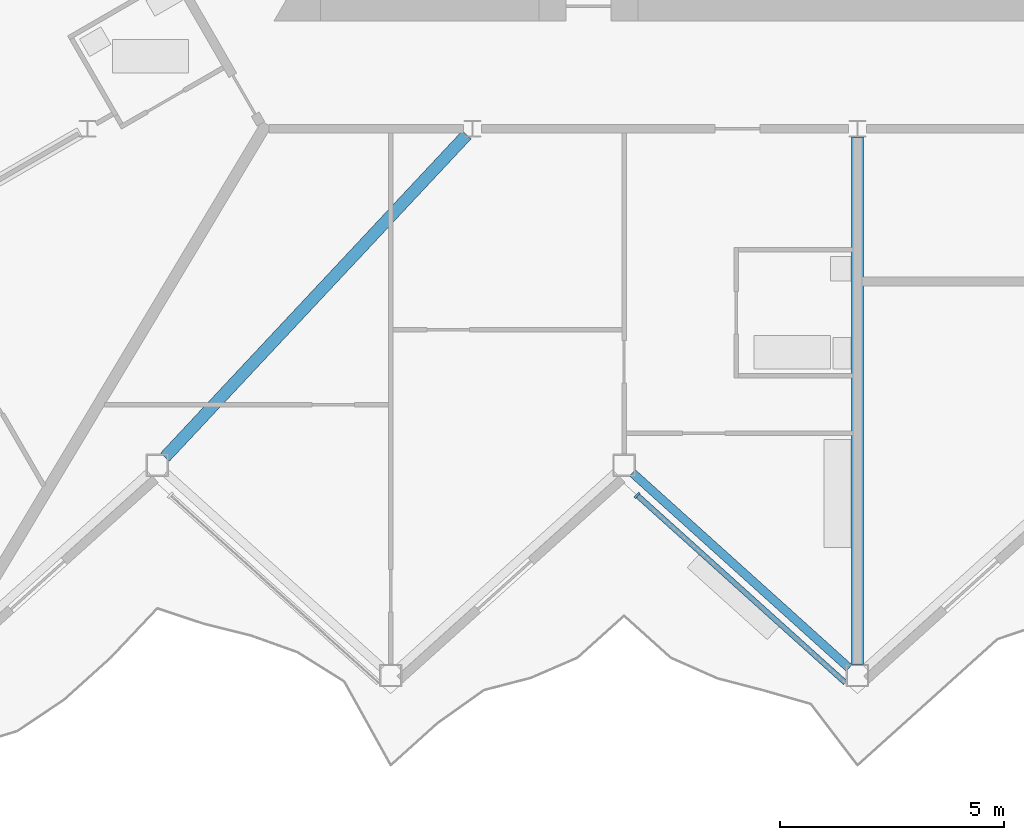
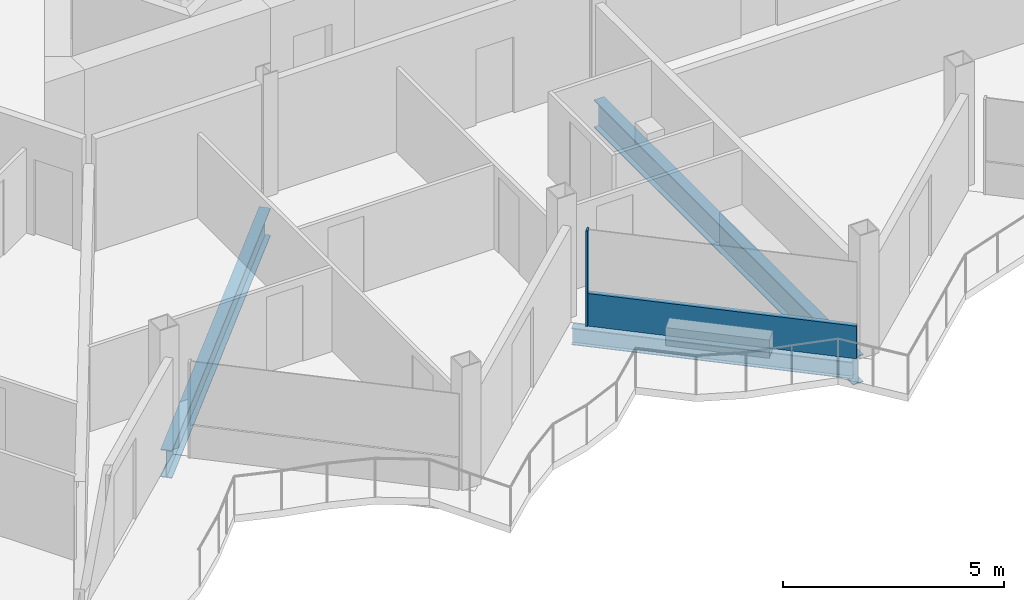
# One storey, part 5 of 26: 3 beams, 2 members, 1 element without a shape of its own.
"""IFC4 building model written with IfcOpenShell, lengths in metres."""

from ifc_helpers import new_model, si_unit, direction, frame, origin, origin_2d, place, context, subcontext, project, spatial, rectangle, i_section, extrude, material, layer, layer_set, material_profile, profile_set, type_object, element, aggregate, save


model = new_model("IFC4")

# Units and contexts
model_context = context("Model", 3, precision=1e-05, world=origin(), true_north=direction((0.0, 1.0)))
body_context = subcontext(model_context, "Body", "Model", "MODEL_VIEW")
ifc_project = project(units=[si_unit("LENGTHUNIT", "METRE"), si_unit("AREAUNIT", "SQUARE_METRE"), si_unit("VOLUMEUNIT", "CUBIC_METRE"), si_unit("PLANEANGLEUNIT", "RADIAN"), si_unit("MASSUNIT", "GRAM", prefix="KILO")], contexts=[model_context])

# Site, building, storey
site_placement = place(None, origin())
site = spatial("IfcSite", under=ifc_project, at=site_placement, CompositionType="ELEMENT")
building_placement = place(site_placement, origin())
building = spatial("IfcBuilding", under=site, at=building_placement, Name="Cormorant Prow Tower", CompositionType="ELEMENT")
storey_placement = place(building_placement, frame((0.0, 0.0, 388.199951171875)))
storey = spatial("IfcBuildingStorey", under=building, at=storey_placement, Name="L88", CompositionType="ELEMENT", Elevation=388.199951171875)

# Beams
ifc_material_1 = material(Name="Structural steel ASTM A992 Gr 50", Category="steel")
ifc_material_profile_1 = material_profile(ifc_material_1, i_section(OverallWidth=0.267822265625, OverallDepth=0.77001953125, WebThickness=0.015625, FlangeThickness=0.025390625, at=origin_2d()), Name="W30x132")
ifc_profile_set_1 = profile_set([ifc_material_profile_1], Name="Structural steel ASTM A992 Gr 50")
beam_type_1 = type_object("IfcBeamType", Name="Radial floor beam W30x132", PredefinedType="BEAM", material=ifc_profile_set_1)
beam_1_placement = place(storey_placement, frame((-8.706298828125, -10.0419921875, -0.684814453125), z_axis=(-0.683430760659, -0.730015339144, 0.0), x_axis=(0.730015339144, -0.683430760659, 0.0)))
element("IfcBeam", 1, at=beam_1_placement, inside=storey, type_object=beam_type_1, Name="Radial floor beam FB3 6 L88", PredefinedType="BEAM", context=body_context, shape_type="SweptSolid", body=[
    extrude(i_section(OverallWidth=0.267822265625, OverallDepth=0.77001953125, WebThickness=0.015625, FlangeThickness=0.025390625, at=origin_2d()), origin(), (0.0, 0.0, 1.0), 9.8369140625),
])
beam_2_placement = place(storey_placement, frame((0.0, -10.092529296875, -0.684814453125), z_axis=(0.0, -1.0, 0.0), x_axis=(1.0, 0.0, 0.0)))
element("IfcBeam", 2, at=beam_2_placement, inside=storey, type_object=beam_type_1, Name="Radial floor beam FB3 7 L88", PredefinedType="BEAM", context=body_context, shape_type="SweptSolid", body=[
    extrude(i_section(OverallWidth=0.267822265625, OverallDepth=0.77001953125, WebThickness=0.015625, FlangeThickness=0.025390625, at=origin_2d()), origin(), (0.0, 0.0, 1.0), 11.745361328125),
])

# Curtain wall, members
ifc_material_2 = material(Name="Aluminium 6063-T6", Category="aluminium")
ifc_layer = layer(ifc_material_2, 0.159912109375)
ifc_layer_set = layer_set([ifc_layer], Name="Aluminium 6063-T6")
curtain_wall_type = type_object("IfcCurtainWallType", Name="Residential unitised curtain wall 160", PredefinedType="NOTDEFINED", material=ifc_layer_set)
curtain_wall_placement = place(storey_placement, origin())
curtain_wall = element("IfcCurtainWall", 3, at=curtain_wall_placement, inside=storey, type_object=curtain_wall_type, Name="Residential curtain wall S04", PredefinedType="NOTDEFINED")
ifc_material_3 = material(Name="Aluminium 6063-T6", Category="aluminium")
ifc_material_profile_2 = material_profile(ifc_material_3, rectangle(XDim=0.159912109375, YDim=0.050048828125, at=origin_2d()), Name="Residential mullion 50x160")
ifc_profile_set_2 = profile_set([ifc_material_profile_2], Name="Aluminium 6063-T6")
member_type_1 = type_object("IfcMemberType", Name="Residential mullion 50x160", PredefinedType="MULLION", material=ifc_profile_set_2)
member_1_placement = place(storey_placement, frame((-4.909423828125, -18.0712890625, 0.0), z_axis=(0.0, 0.0, 1.0), x_axis=(0.669130603959, 0.743144827638, 0.0)))
member_1 = element("IfcMember", 4, at=member_1_placement, type_object=member_type_1, Name="Residential mullion S04", PredefinedType="MULLION", context=body_context, shape_type="SweptSolid", body=[
    extrude(rectangle(XDim=0.159912109375, YDim=0.050048828125, at=origin_2d()), origin(), (0.0, 0.0, 1.0), 2.634033203125),
])
ifc_material_4 = material(Name="Terracotta", Category="masonry")
ifc_material_profile_3 = material_profile(ifc_material_4, rectangle(XDim=0.1201171875, YDim=0.89990234375, at=origin_2d()), Name="Residential terracotta spandrel rail 120x900")
ifc_profile_set_3 = profile_set([ifc_material_profile_3], Name="Terracotta")
member_type_2 = type_object("IfcMemberType", Name="Residential terracotta spandrel rail 120x900", PredefinedType="USERDEFINED", material=ifc_profile_set_3)
member_2_placement = place(storey_placement, frame((-4.890869140625, -18.088134765625, 0.449951171875), z_axis=(0.743159360055, -0.669114463723, 0.0), x_axis=(0.669114463723, 0.743159360055, 0.0)))
member_2 = element("IfcMember", 5, at=member_2_placement, type_object=member_type_2, Name="Residential spandrel rail S04", ObjectType="TRANSOM", PredefinedType="USERDEFINED", context=body_context, shape_type="SweptSolid", body=[
    extrude(rectangle(XDim=0.1201171875, YDim=0.89990234375, at=origin_2d()), origin(), (0.0, 0.0, 1.0), 6.21533203125),
])
aggregate(curtain_wall, [member_1, member_2])

# Beam
ifc_material_5 = material(Name="Structural steel ASTM A992 Gr 50", Category="steel")
ifc_material_profile_4 = material_profile(ifc_material_5, i_section(OverallWidth=0.19287109375, OverallDepth=0.466064453125, WebThickness=0.011474609375, FlangeThickness=0.01904296875, at=origin_2d()), Name="W18x65")
ifc_profile_set_4 = profile_set([ifc_material_profile_4], Name="Structural steel ASTM A992 Gr 50")
beam_type_2 = type_object("IfcBeamType", Name="Spandrel beam W18x65", PredefinedType="SPANDREL", material=ifc_profile_set_4)
beam_3_placement = place(storey_placement, frame((-5.01416015625, -17.572998046875, -0.532958984375), z_axis=(0.743131573737, -0.669145323614, 0.0), x_axis=(0.669145323614, 0.743131573737, 0.0)))
element("IfcBeam", 6, at=beam_3_placement, inside=storey, type_object=beam_type_2, Name="Spandrel beam SB4 S04-S05 L88", PredefinedType="SPANDREL", context=body_context, shape_type="SweptSolid", body=[
    extrude(i_section(OverallWidth=0.19287109375, OverallDepth=0.466064453125, WebThickness=0.011474609375, FlangeThickness=0.01904296875, at=origin_2d()), origin(), (0.0, 0.0, 1.0), 6.497314453125),
])

save(model, "model.ifc")
